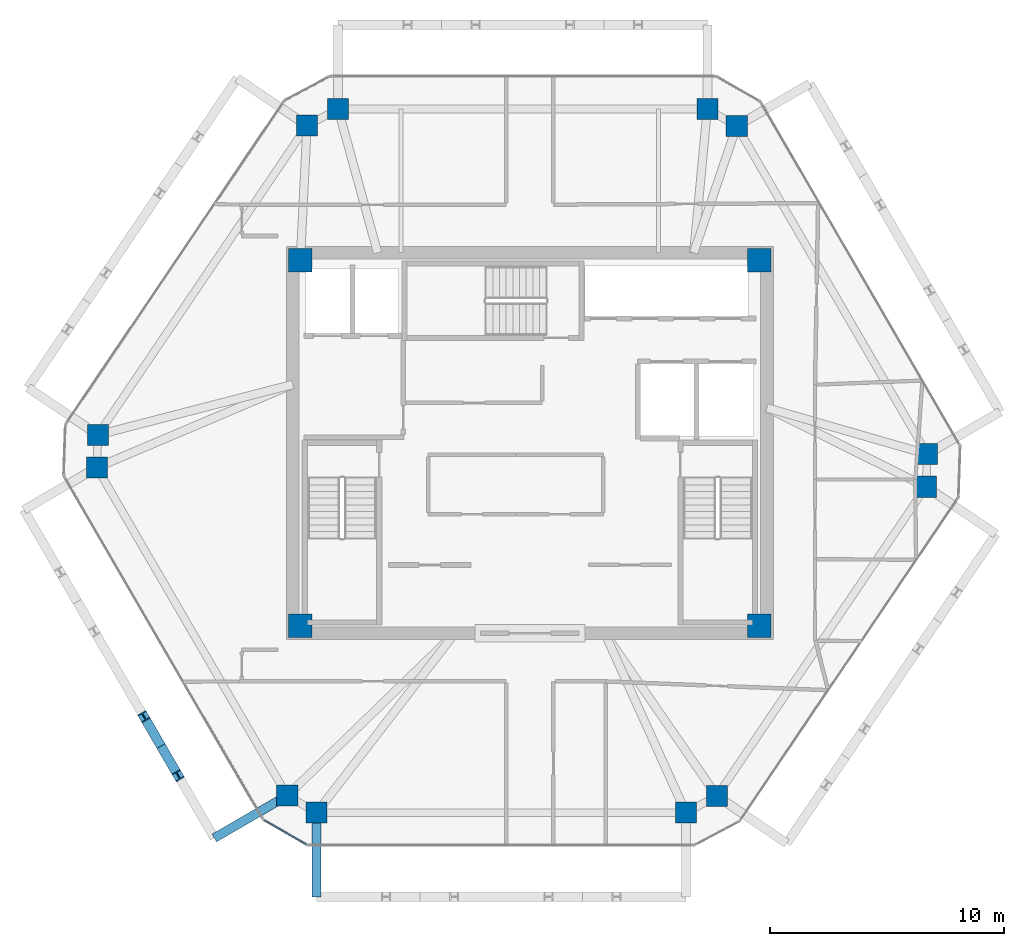
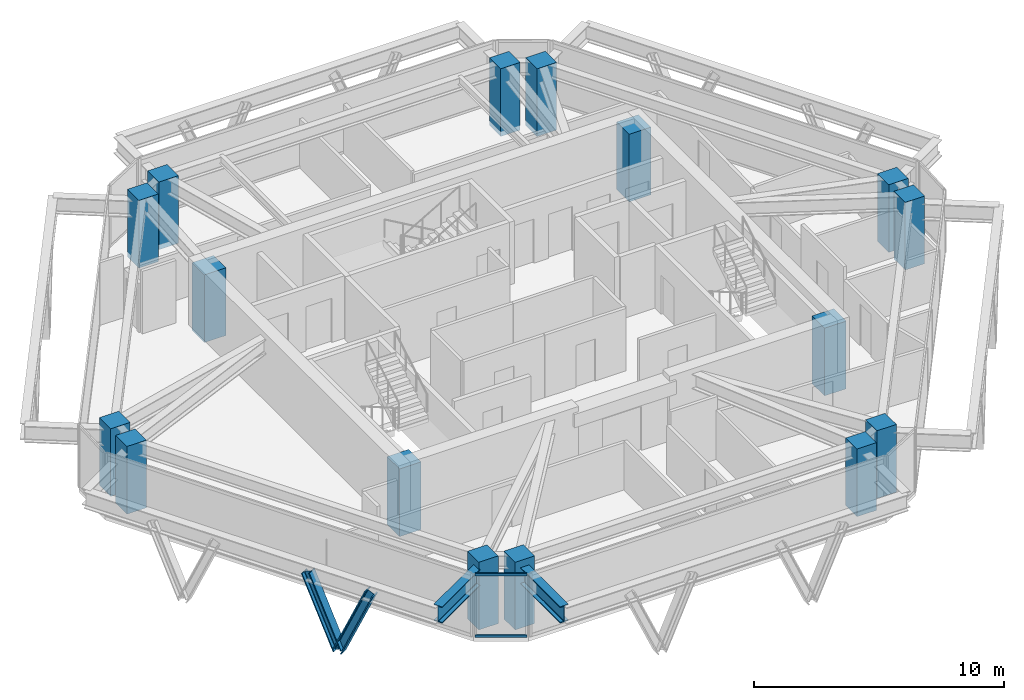
# One storey, part 1 of 11: 16 columns, 4 members, 2 beams, 1 element without a shape of its own.
"""IFC4 building model written with IfcOpenShell, lengths in metres."""

from ifc_helpers import new_model, si_unit, direction, frame, origin, origin_2d, place, context, subcontext, project, spatial, rectangle, i_section, extrude, source, transform, mapped, material, layer, layer_set, material_profile, profile_set, type_object, type_shapes, element, aggregate, save


model = new_model("IFC4")

# Units and contexts
model_context = context("Model", 3, precision=1e-05, world=origin(), true_north=direction((0.0, 1.0)))
body_context = subcontext(model_context, "Body", "Model", "MODEL_VIEW")
ifc_project = project(units=[si_unit("LENGTHUNIT", "METRE"), si_unit("AREAUNIT", "SQUARE_METRE"), si_unit("VOLUMEUNIT", "CUBIC_METRE"), si_unit("PLANEANGLEUNIT", "RADIAN"), si_unit("MASSUNIT", "GRAM", prefix="KILO")], contexts=[model_context])

# Site, building, storey
site_placement = place(None, origin())
site = spatial("IfcSite", under=ifc_project, at=site_placement, CompositionType="ELEMENT")
building_placement = place(site_placement, origin())
building = spatial("IfcBuilding", under=site, at=building_placement, Name="Durnholm Broadcast Tower", CompositionType="ELEMENT")
storey_placement = place(building_placement, frame((0.0, 0.0, 224.89990234375)))
storey = spatial("IfcBuildingStorey", under=building, at=storey_placement, Name="L62", CompositionType="ELEMENT", Elevation=224.89990234375)

# Columns
ifc_material_1 = material(Name="Concrete C70/85", Category="concrete")
ifc_material_profile_1 = material_profile(ifc_material_1, rectangle(XDim=1.0, YDim=1.0, at=origin_2d()), Name="RC1000X1000")
ifc_profile_set_1 = profile_set([ifc_material_profile_1], Name="Concrete C70/85")
column_type_1 = type_object("IfcColumnType", Name="COL-CC-1000", PredefinedType="COLUMN", material=ifc_profile_set_1)
shared_shape_1 = source(origin(), body_context, "Body", "SweptSolid", [
    extrude(rectangle(XDim=1.0, YDim=1.0, at=origin_2d()), origin(), (0.0, 0.0, 1.0), 3.300048828125),
])
type_shapes(column_type_1, [shared_shape_1])
for number, where, z_axis, x_axis, name in (
    (1, (-9.800048828125, -7.800048828125, -0.239990234375), (0.0, 0.0, 1.0), (1.0, 0.0, 0.0), "L62 core corner column 1"),
    (2, (9.800048828125, -7.800048828125, -0.239990234375), (0.0, 0.0, 1.0), (1.0, 0.0, 0.0), "L62 core corner column 2"),
    (3, (9.800048828125, 7.800048828125, -0.239990234375), (0.0, 0.0, 1.0), (1.0, 0.0, 0.0), "L62 core corner column 3"),
    (4, (-9.800048828125, 7.800048828125, -0.239990234375), (0.0, 0.0, 1.0), (1.0, 0.0, 0.0), "L62 core corner column 4"),
):
    element("IfcColumn", number, at=place(storey_placement, frame(where, z_axis=z_axis, x_axis=x_axis)), inside=storey, type_object=column_type_1, Name=name, PredefinedType="COLUMN", context=body_context, shape_type="MappedRepresentation", body=[
        mapped(shared_shape_1, transform((0.0, 0.0, 0.0), x_axis=(1.0, 0.0, 0.0), y_axis=(0.0, 1.0, 0.0), z_axis=(0.0, 0.0, 1.0), scale=1.0)),
    ])
ifc_material_profile_2 = material_profile(ifc_material_1, rectangle(XDim=0.89990234375, YDim=0.89990234375, at=origin_2d()), Name="RC900X900")
ifc_profile_set_2 = profile_set([ifc_material_profile_2], Name="Concrete C70/85")
column_type_2 = type_object("IfcColumnType", Name="COL-CC-900", PredefinedType="COLUMN", material=ifc_profile_set_2)
shared_shape_2 = source(origin(), body_context, "Body", "SweptSolid", [
    extrude(rectangle(XDim=0.89990234375, YDim=0.89990234375, at=origin_2d()), origin(), (0.0, 0.0, 1.0), 3.300048828125),
])
type_shapes(column_type_2, [shared_shape_2])
for number, where, z_axis, x_axis, name in (
    (5, (-10.361328125, -15.061767578125, -0.239990234375), (0.0, 0.0, 1.0), (1.0, 0.0, 0.0), "L62 perimeter hexagonal tube column 01"),
    (6, (-18.494384765625, -1.0478515625, -0.239990234375), (0.0, 0.0, 1.0), (1.0, 0.0, 0.0), "L62 perimeter hexagonal tube column 02"),
    (7, (-18.4462890625, 0.345947265625, -0.239990234375), (0.0, 0.0, 1.0), (1.0, 0.0, 0.0), "L62 perimeter hexagonal tube column 03"),
    (8, (-9.514892578125, 13.557373046875, -0.239990234375), (0.0, 0.0, 1.0), (1.0, 0.0, 0.0), "L62 perimeter hexagonal tube column 04"),
    (9, (-8.187744140625, 14.261962890625, -0.239990234375), (0.0, 0.0, 1.0), (1.0, 0.0, 0.0), "L62 perimeter hexagonal tube column 05"),
    (10, (7.57958984375, 14.261962890625, -0.239990234375), (0.0, 0.0, 1.0), (1.0, 0.0, 0.0), "L62 perimeter hexagonal tube column 06"),
    (11, (8.83740234375, 13.53759765625, -0.239990234375), (0.0, 0.0, 1.0), (1.0, 0.0, 0.0), "L62 perimeter hexagonal tube column 07"),
    (12, (16.97021484375, -0.47607421875, -0.239990234375), (0.0, 0.0, 1.0), (1.0, 0.0, 0.0), "L62 perimeter hexagonal tube column 08"),
    (13, (16.92236328125, -1.869873046875, -0.239990234375), (0.0, 0.0, 1.0), (1.0, 0.0, 0.0), "L62 perimeter hexagonal tube column 09"),
    (14, (7.990966796875, -15.081298828125, -0.239990234375), (0.0, 0.0, 1.0), (1.0, 0.0, 0.0), "L62 perimeter hexagonal tube column 10"),
    (15, (6.663818359375, -15.785888671875, -0.239990234375), (0.0, 0.0, 1.0), (1.0, 0.0, 0.0), "L62 perimeter hexagonal tube column 11"),
    (16, (-9.103759765625, -15.785888671875, -0.239990234375), (0.0, 0.0, 1.0), (1.0, 0.0, 0.0), "L62 perimeter hexagonal tube column 12"),
):
    element("IfcColumn", number, at=place(storey_placement, frame(where, z_axis=z_axis, x_axis=x_axis)), inside=storey, type_object=column_type_2, Name=name, PredefinedType="COLUMN", context=body_context, shape_type="MappedRepresentation", body=[
        mapped(shared_shape_2, transform((0.0, 0.0, 0.0), x_axis=(1.0, 0.0, 0.0), y_axis=(0.0, 1.0, 0.0), z_axis=(0.0, 0.0, 1.0), scale=1.0)),
    ])

# Beams
ifc_material_2 = material(Name="Steel ASTM A992 Grade 50", Category="steel")
ifc_material_profile_3 = material_profile(ifc_material_2, i_section(OverallWidth=0.385009765625, OverallDepth=0.802978515625, WebThickness=0.023681640625, FlangeThickness=0.0419921875, FilletRadius=0.032958984375, at=origin_2d()), Name="W30X261")
ifc_profile_set_3 = profile_set([ifc_material_profile_3], Name="Steel ASTM A992 Grade 50")
beam_type = type_object("IfcBeamType", Name="BM-EXO-TIE", PredefinedType="USERDEFINED", material=ifc_profile_set_3)
shared_shape_3 = source(origin(), body_context, "Body", "SweptSolid", [
    extrude(i_section(OverallWidth=0.385009765625, OverallDepth=0.802978515625, WebThickness=0.023681640625, FlangeThickness=0.0419921875, FilletRadius=0.032958984375, at=origin_2d()), origin(), (0.0, 0.0, 1.0), 3.4560546875),
])
type_shapes(beam_type, [shared_shape_3])
for number, where, z_axis, x_axis, name in (
    (17, (-9.103759765625, -15.929931640625, 2.30859375), (0.0, -1.0, 0.0), (1.0, 0.0, 0.0), "L62 exoskeleton stand-off tie bracket F1.1"),
    (18, (-10.48583984375, -15.134033203125, 2.30859375), (-0.864924479231, -0.501902027518, 0.0), (0.501902027518, -0.864924479231, 0.0), "L62 exoskeleton stand-off tie bracket F6.2"),
):
    element("IfcBeam", number, at=place(storey_placement, frame(where, z_axis=z_axis, x_axis=x_axis)), inside=storey, type_object=beam_type, Name=name, ObjectType="GIRDER", PredefinedType="USERDEFINED", context=body_context, shape_type="MappedRepresentation", body=[
        mapped(shared_shape_3, transform((0.0, 0.0, 0.0), x_axis=(1.0, 0.0, 0.0), y_axis=(0.0, 1.0, 0.0), z_axis=(0.0, 0.0, 1.0), scale=1.0)),
    ])

# Members
ifc_material_3 = material(Name="Steel ASTM A913 Grade 65", Category="steel")
ifc_material_profile_4 = material_profile(ifc_material_3, i_section(OverallWidth=0.40625, OverallDepth=0.416015625, WebThickness=0.02978515625, FlangeThickness=0.048095703125, FilletRadius=0.030517578125, at=origin_2d()), Name="W14X257")
ifc_profile_set_4 = profile_set([ifc_material_profile_4], Name="Steel ASTM A913 Grade 65")
member_type_1 = type_object("IfcMemberType", Name="STL-DG-W14X257", PredefinedType="BRACE", material=ifc_profile_set_4)
shared_shape_4 = source(origin(), body_context, "Body", "SweptSolid", [
    extrude(i_section(OverallWidth=0.40625, OverallDepth=0.416015625, WebThickness=0.02978515625, FlangeThickness=0.048095703125, FilletRadius=0.030517578125, at=origin_2d()), origin(), (0.0, 0.0, 1.0), 3.60791015625),
])
type_shapes(member_type_1, [shared_shape_4])
for number, where, z_axis, x_axis, name in (
    (19, (-15.752197265625, -12.94482421875, -0.991455078125), (-0.202871189729, 0.349577240207, 0.914679743685), (-0.864906184135, -0.501933554014, 0.0), "L62 stand-off diagrid brace F6.D2.1"),
    (20, (-15.752197265625, -12.94482421875, -0.991455078125), (0.202871189729, -0.349577240207, 0.914679743685), (0.864906184135, 0.501933554014, 0.0), "L62 stand-off diagrid brace F6.D2.2"),
):
    element("IfcMember", number, at=place(storey_placement, frame(where, z_axis=z_axis, x_axis=x_axis)), inside=storey, type_object=member_type_1, Name=name, PredefinedType="BRACE", context=body_context, shape_type="MappedRepresentation", body=[
        mapped(shared_shape_4, transform((0.0, 0.0, 0.0), x_axis=(1.0, 0.0, 0.0), y_axis=(0.0, 1.0, 0.0), z_axis=(0.0, 0.0, 1.0), scale=1.0)),
    ])

# Curtain wall, members
ifc_material_4 = material(Name="Aluminium and Solar Control IGU", Category="aluminium")
ifc_layer = layer(ifc_material_4, 0.1650390625)
ifc_layer_set = layer_set([ifc_layer], Name="Aluminium and Solar Control IGU")
curtain_wall_type = type_object("IfcCurtainWallType", Name="CW-SYS-5", PredefinedType="NOTDEFINED", material=ifc_layer_set)
curtain_wall_placement = place(storey_placement, origin())
curtain_wall = element("IfcCurtainWall", 21, at=curtain_wall_placement, inside=storey, type_object=curtain_wall_type, Name="L62 curtain wall CW-CORNER CW-L62-CRN-11", PredefinedType="NOTDEFINED")
ifc_material_5 = material(Name="Aluminium 6063-T6", Category="aluminium")
ifc_material_profile_5 = material_profile(ifc_material_5, rectangle(XDim=0.06494140625, YDim=0.1298828125, at=origin_2d()), Name="CWT65X130")
ifc_profile_set_5 = profile_set([ifc_material_profile_5], Name="Aluminium 6063-T6")
member_type_2 = type_object("IfcMemberType", Name="CW-SYS-5-TRN", PredefinedType="USERDEFINED", material=ifc_profile_set_5)
shared_shape_5 = source(origin(), body_context, "Body", "SweptSolid", [
    extrude(rectangle(XDim=0.06494140625, YDim=0.1298828125, at=origin_2d()), origin(), (0.0, 0.0, 1.0), 2.06982421875),
])
type_shapes(member_type_2, [shared_shape_5])
member_1_placement = place(storey_placement, frame((-9.534423828125, -17.153564453125, 0.03271484375), z_axis=(-0.866576086718, 0.499044973854, 0.0), x_axis=(-0.499044973854, -0.866576086718, 0.0)))
member_1 = element("IfcMember", 22, at=member_1_placement, type_object=member_type_2, Name="CW-CORNER transom 1.1", ObjectType="TRANSOM", PredefinedType="USERDEFINED", context=body_context, shape_type="MappedRepresentation", body=[
    mapped(shared_shape_5, transform((0.0, 0.0, 0.0), x_axis=(1.0, 0.0, 0.0), y_axis=(0.0, 1.0, 0.0), z_axis=(0.0, 0.0, 1.0), scale=1.0)),
])
member_2_placement = place(storey_placement, frame((-9.534423828125, -17.153564453125, 3.027587890625), z_axis=(-0.866576086718, 0.499044973854, 0.0), x_axis=(-0.499044973854, -0.866576086718, 0.0)))
member_2 = element("IfcMember", 23, at=member_2_placement, type_object=member_type_2, Name="CW-CORNER transom 1.2", ObjectType="TRANSOM", PredefinedType="USERDEFINED", context=body_context, shape_type="MappedRepresentation", body=[
    mapped(shared_shape_5, transform((0.0, 0.0, 0.0), x_axis=(1.0, 0.0, 0.0), y_axis=(0.0, 1.0, 0.0), z_axis=(0.0, 0.0, 1.0), scale=1.0)),
])
aggregate(curtain_wall, [member_1, member_2])

save(model, "model.ifc")
